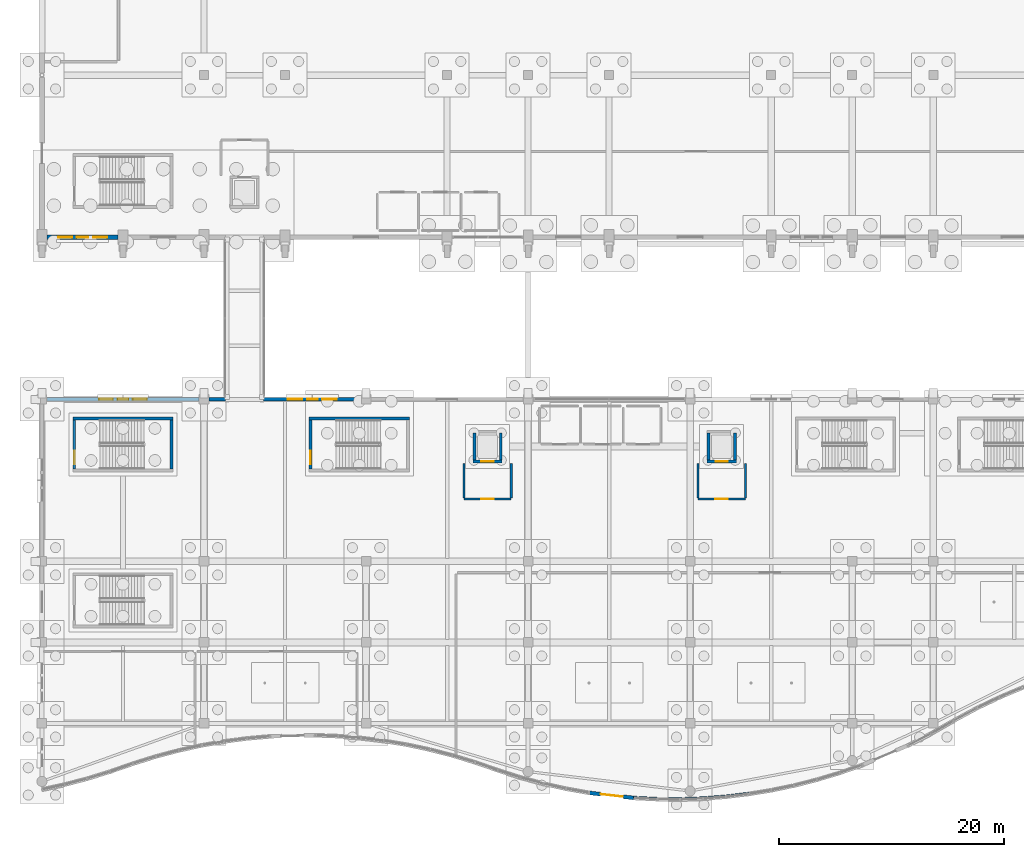
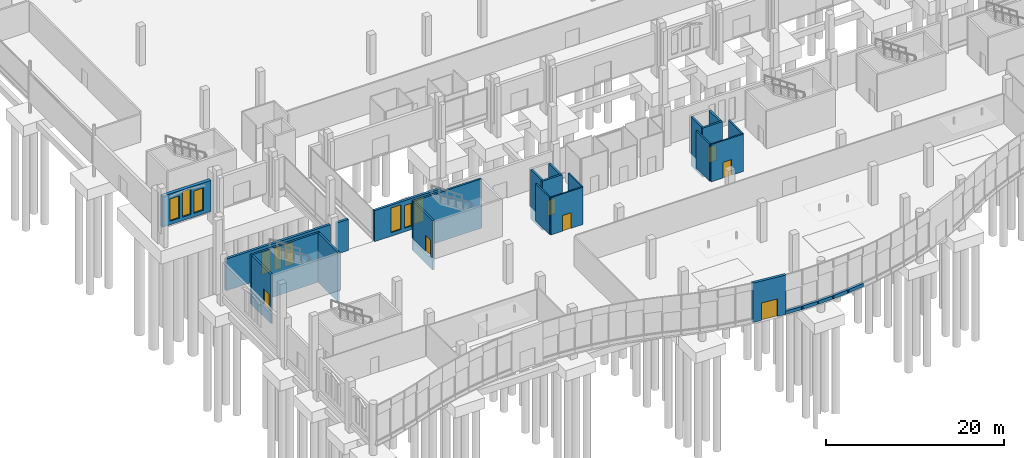
# One storey, part 131 of 192: 31 walls, 9 windows, 7 doors, 16 openings.
"""IFC4 building model written with IfcOpenShell, lengths in metres."""

from ifc_helpers import new_model, si_unit, direction, frame, frame_2d, origin, place, context, subcontext, project, spatial, rectangle, extrude, material, layer, layer_set, type_object, element, fill, save


model = new_model("IFC4")

# Units and contexts
model_context = context("Model", 3, precision=1e-05, world=origin(), true_north=direction((0.0, 1.0)))
body_context = subcontext(model_context, "Body", "Model", "MODEL_VIEW")
ifc_project = project(units=[si_unit("LENGTHUNIT", "METRE"), si_unit("AREAUNIT", "SQUARE_METRE"), si_unit("VOLUMEUNIT", "CUBIC_METRE"), si_unit("PLANEANGLEUNIT", "RADIAN"), si_unit("MASSUNIT", "GRAM", prefix="KILO")], contexts=[model_context])

# Site, building, storey
site_placement = place(None, origin())
site = spatial("IfcSite", under=ifc_project, at=site_placement, CompositionType="ELEMENT")
building_placement = place(site_placement, origin())
building = spatial("IfcBuilding", under=site, at=building_placement, Name="Cendralis Lancet Convention Centre", CompositionType="ELEMENT")
storey_placement = place(building_placement, origin())
storey = spatial("IfcBuildingStorey", under=building, at=storey_placement, Name="L00", CompositionType="ELEMENT", Elevation=0.0)

# Wall, openings, windows
ifc_material_1 = material(Name="Buff sandstone ashlar and Concrete G40 (C40/50)", Category="masonry")
ifc_layer_1 = layer(ifc_material_1, 0.320068359375, Name="Buff sandstone ashlar and Concrete G40 (C40/50)")
ifc_layer_set_1 = layer_set([ifc_layer_1], Name="Buff sandstone ashlar and Concrete G40 (C40/50)")
wall_type_1 = type_object("IfcWallType", Name="ARC-EW-W320", PredefinedType="STANDARD", material=ifc_layer_set_1)
wall_1_placement = place(storey_placement, frame((0.43310546875, 36.0, 0.0), z_axis=(0.0, 0.0, 1.0), x_axis=(1.0, 0.0, 0.0)))
wall_1 = element("IfcWall", 1, at=wall_1_placement, inside=storey, type_object=wall_type_1, Name="L00 V4 Exterior Wall EW-06 #0177", PredefinedType="STANDARD", context=body_context, shape_type="SweptSolid", body=[
    extrude(rectangle(XDim=13.533935546875, YDim=0.320068359375, at=frame_2d((6.76708984375, 0.0))), origin(), (0.0, 0.0, 1.0), 4.35498046875),
])
opening_1_placement = place(wall_1_placement, frame((4.636962890625, 0.0, 0.5)))
opening_1 = element("IfcOpeningElement", 2, at=opening_1_placement, cuts=wall_1, Name="Opening WN-16", PredefinedType="OPENING", context=body_context, shape_type="SweptSolid", body=[
    extrude(rectangle(XDim=1.239990234375, YDim=3.050048828125, at=frame_2d((0.6201171875, 1.52490234375))), frame((0.0, 0.169921875, 0.0), z_axis=(0.0, -1.0, 0.0), x_axis=(1.0, 0.0, 0.0)), (0.0, 0.0, 1.0), 0.340087890625),
])
opening_2_placement = place(wall_1_placement, frame((6.297119140625, 0.0, 0.5)))
opening_2 = element("IfcOpeningElement", 3, at=opening_2_placement, cuts=wall_1, Name="Opening WN-09", PredefinedType="OPENING", context=body_context, shape_type="SweptSolid", body=[
    extrude(rectangle(XDim=0.93994140625, YDim=3.10009765625, at=frame_2d((0.469970703125, 1.550048828125))), frame((0.0, 0.169921875, 0.0), z_axis=(0.0, -1.0, 0.0), x_axis=(1.0, 0.0, 0.0)), (0.0, 0.0, 1.0), 0.340087890625),
])
opening_3_placement = place(wall_1_placement, frame((7.656982421875, 0.0, 0.5)))
opening_3 = element("IfcOpeningElement", 4, at=opening_3_placement, cuts=wall_1, Name="Opening WN-16", PredefinedType="OPENING", context=body_context, shape_type="SweptSolid", body=[
    extrude(rectangle(XDim=1.239990234375, YDim=3.050048828125, at=frame_2d((0.6201171875, 1.52490234375))), frame((0.0, 0.169921875, 0.0), z_axis=(0.0, -1.0, 0.0), x_axis=(1.0, 0.0, 0.0)), (0.0, 0.0, 1.0), 0.340087890625),
])
ifc_material_2 = material(Name="Double-glazed low-E solar-control glass", Category="glass")
window_type_1 = type_object("IfcWindowType", Name="ARC-WN-LW09", PartitioningType="SINGLE_PANEL", PredefinedType="WINDOW", material=ifc_material_2)
window_1_placement = place(opening_2_placement, origin())
window_1 = element("IfcWindow", 5, at=window_1_placement, inside=storey, type_object=window_type_1, Name="Gothic Lancet Window WN-09 #0348", OverallHeight=3.10009765625, OverallWidth=0.93994140625, PartitioningType="SINGLE_PANEL", PredefinedType="WINDOW", context=body_context, shape_type="SweptSolid", body=[
    extrude(rectangle(XDim=0.93994140625, YDim=3.10009765625, at=frame_2d((0.469970703125, 1.550048828125))), frame((0.0, 0.030029296875, 0.0), z_axis=(0.0, -1.0, 0.0), x_axis=(1.0, 0.0, 0.0)), (0.0, 0.0, 1.0), 0.06005859375),
])
fill(opening_2, window_1)
window_type_2 = type_object("IfcWindowType", Name="ARC-WN-LW16", PartitioningType="SINGLE_PANEL", PredefinedType="WINDOW", material=ifc_material_2)
window_2_placement = place(opening_1_placement, origin())
window_2 = element("IfcWindow", 6, at=window_2_placement, inside=storey, type_object=window_type_2, Name="Gothic Lancet Window WN-16 #0347", OverallHeight=3.050048828125, OverallWidth=1.239990234375, PartitioningType="SINGLE_PANEL", PredefinedType="WINDOW", context=body_context, shape_type="SweptSolid", body=[
    extrude(rectangle(XDim=1.239990234375, YDim=3.050048828125, at=frame_2d((0.6201171875, 1.52490234375))), frame((0.0, 0.030029296875, 0.0), z_axis=(0.0, -1.0, 0.0), x_axis=(1.0, 0.0, 0.0)), (0.0, 0.0, 1.0), 0.06005859375),
])
fill(opening_1, window_2)
window_3_placement = place(opening_3_placement, origin())
window_3 = element("IfcWindow", 7, at=window_3_placement, inside=storey, type_object=window_type_2, Name="Gothic Lancet Window WN-16 #0349", OverallHeight=3.050048828125, OverallWidth=1.239990234375, PartitioningType="SINGLE_PANEL", PredefinedType="WINDOW", context=body_context, shape_type="SweptSolid", body=[
    extrude(rectangle(XDim=1.239990234375, YDim=3.050048828125, at=frame_2d((0.6201171875, 1.52490234375))), frame((0.0, 0.030029296875, 0.0), z_axis=(0.0, -1.0, 0.0), x_axis=(1.0, 0.0, 0.0)), (0.0, 0.0, 1.0), 0.06005859375),
])
fill(opening_3, window_3)

# Wall
wall_2_placement = place(storey_placement, frame((14.8330078125, 36.0, 0.0), z_axis=(0.0, 0.0, 1.0), x_axis=(1.0, 0.0, 0.0)))
element("IfcWall", 8, at=wall_2_placement, inside=storey, type_object=wall_type_1, Name="L00 V4 Exterior Wall EW-06 #0178", PredefinedType="STANDARD", context=body_context, shape_type="SweptSolid", body=[
    extrude(rectangle(XDim=1.487060546875, YDim=0.320068359375, at=frame_2d((0.74365234375, 0.0))), origin(), (0.0, 0.0, 1.0), 4.264892578125),
])

# Wall, openings, windows
wall_3_placement = place(storey_placement, frame((19.679931640625, 36.0, 0.0), z_axis=(0.0, 0.0, 1.0), x_axis=(1.0, 0.0, 0.0)))
wall_3 = element("IfcWall", 9, at=wall_3_placement, inside=storey, type_object=wall_type_1, Name="L00 V4 Exterior Wall EW-06 #0179", PredefinedType="STANDARD", context=body_context, shape_type="SweptSolid", body=[
    extrude(rectangle(XDim=8.68701171875, YDim=0.320068359375, at=frame_2d((4.343505859375, 0.0))), origin(), (0.0, 0.0, 1.0), 4.264892578125),
])
opening_4_placement = place(wall_3_placement, frame((2.153564453125, 0.0, 0.5)))
opening_4 = element("IfcOpeningElement", 10, at=opening_4_placement, cuts=wall_3, Name="Opening WN-18", PredefinedType="OPENING", context=body_context, shape_type="SweptSolid", body=[
    extrude(rectangle(XDim=1.300048828125, YDim=3.3798828125, at=frame_2d((0.64990234375, 1.68994140625))), frame((0.0, 0.169921875, 0.0), z_axis=(0.0, -1.0, 0.0), x_axis=(1.0, 0.0, 0.0)), (0.0, 0.0, 1.0), 0.340087890625),
])
opening_5_placement = place(wall_3_placement, frame((3.87353515625, 0.0, 0.5)))
opening_5 = element("IfcOpeningElement", 11, at=opening_5_placement, cuts=wall_3, Name="Opening WN-09", PredefinedType="OPENING", context=body_context, shape_type="SweptSolid", body=[
    extrude(rectangle(XDim=0.93994140625, YDim=3.10009765625, at=frame_2d((0.469970703125, 1.550048828125))), frame((0.0, 0.169921875, 0.0), z_axis=(0.0, -1.0, 0.0), x_axis=(1.0, 0.0, 0.0)), (0.0, 0.0, 1.0), 0.340087890625),
])
opening_6_placement = place(wall_3_placement, frame((5.2333984375, 0.0, 0.5)))
opening_6 = element("IfcOpeningElement", 12, at=opening_6_placement, cuts=wall_3, Name="Opening WN-18", PredefinedType="OPENING", context=body_context, shape_type="SweptSolid", body=[
    extrude(rectangle(XDim=1.300048828125, YDim=3.3798828125, at=frame_2d((0.64990234375, 1.68994140625))), frame((0.0, 0.169921875, 0.0), z_axis=(0.0, -1.0, 0.0), x_axis=(1.0, 0.0, 0.0)), (0.0, 0.0, 1.0), 0.340087890625),
])
window_4_placement = place(opening_5_placement, origin())
window_4 = element("IfcWindow", 13, at=window_4_placement, inside=storey, type_object=window_type_1, Name="Gothic Lancet Window WN-09 #0351", OverallHeight=3.10009765625, OverallWidth=0.93994140625, PartitioningType="SINGLE_PANEL", PredefinedType="WINDOW", context=body_context, shape_type="SweptSolid", body=[
    extrude(rectangle(XDim=0.93994140625, YDim=3.10009765625, at=frame_2d((0.469970703125, 1.550048828125))), frame((0.0, 0.030029296875, 0.0), z_axis=(0.0, -1.0, 0.0), x_axis=(1.0, 0.0, 0.0)), (0.0, 0.0, 1.0), 0.06005859375),
])
fill(opening_5, window_4)
window_type_3 = type_object("IfcWindowType", Name="ARC-WN-LW18", PartitioningType="SINGLE_PANEL", PredefinedType="WINDOW", material=ifc_material_2)
window_5_placement = place(opening_4_placement, origin())
window_5 = element("IfcWindow", 14, at=window_5_placement, inside=storey, type_object=window_type_3, Name="Gothic Lancet Window WN-18 #0350", OverallHeight=3.3798828125, OverallWidth=1.300048828125, PartitioningType="SINGLE_PANEL", PredefinedType="WINDOW", context=body_context, shape_type="SweptSolid", body=[
    extrude(rectangle(XDim=1.300048828125, YDim=3.3798828125, at=frame_2d((0.64990234375, 1.68994140625))), frame((0.0, 0.030029296875, 0.0), z_axis=(0.0, -1.0, 0.0), x_axis=(1.0, 0.0, 0.0)), (0.0, 0.0, 1.0), 0.06005859375),
])
fill(opening_4, window_5)
window_6_placement = place(opening_6_placement, origin())
window_6 = element("IfcWindow", 15, at=window_6_placement, inside=storey, type_object=window_type_3, Name="Gothic Lancet Window WN-18 #0352", OverallHeight=3.3798828125, OverallWidth=1.300048828125, PartitioningType="SINGLE_PANEL", PredefinedType="WINDOW", context=body_context, shape_type="SweptSolid", body=[
    extrude(rectangle(XDim=1.300048828125, YDim=3.3798828125, at=frame_2d((0.64990234375, 1.68994140625))), frame((0.0, 0.030029296875, 0.0), z_axis=(0.0, -1.0, 0.0), x_axis=(1.0, 0.0, 0.0)), (0.0, 0.0, 1.0), 0.06005859375),
])
fill(opening_6, window_6)

# Wall, opening, door
ifc_layer_2 = layer(ifc_material_1, 0.340087890625, Name="Buff sandstone ashlar and Concrete G40 (C40/50)")
ifc_layer_set_2 = layer_set([ifc_layer_2], Name="Buff sandstone ashlar and Concrete G40 (C40/50)")
wall_type_2 = type_object("IfcWallType", Name="ARC-EW-W340", PredefinedType="STANDARD", material=ifc_layer_set_2)
wall_4_placement = place(storey_placement, frame((48.60595703125, 1.030029296875, 0.0), z_axis=(0.0, 0.0, 1.0), x_axis=(0.993612735774, -0.112843835927, 0.0)))
wall_4 = element("IfcWall", 16, at=wall_4_placement, inside=storey, type_object=wall_type_2, Name="Boulevard Wave Entrance Portal Wall WP-025-WP-027", PredefinedType="STANDARD", context=body_context, shape_type="SweptSolid", body=[
    extrude(rectangle(XDim=4.076171875, YDim=0.340087890625, at=frame_2d((2.0380859375, 0.0))), origin(), (0.0, 0.0, 1.0), 5.39990234375),
])
opening_7_placement = place(wall_4_placement, frame((1.0380859375, 0.0, 0.0)))
opening_7 = element("IfcOpeningElement", 17, at=opening_7_placement, cuts=wall_4, Name="Opening EX-D2", PredefinedType="OPENING", context=body_context, shape_type="SweptSolid", body=[
    extrude(rectangle(XDim=2.0, YDim=2.39990234375, at=frame_2d((1.0, 1.199951171875))), frame((0.0, 0.179931640625, 0.0), z_axis=(0.0, -1.0, 0.0), x_axis=(1.0, 0.0, 0.0)), (0.0, 0.0, 1.0), 0.360107421875),
])
ifc_material_3 = material(Name="Anodised bronze architectural aluminium", Category="aluminium")
door_type_1 = type_object("IfcDoorType", Name="ARC-DR-EX20", OperationType="NOTDEFINED", PredefinedType="DOOR", material=ifc_material_3)
door_1_placement = place(opening_7_placement, frame((2.0, 0.0, 0.0), z_axis=(0.0, 0.0, 1.0), x_axis=(-1.0, 0.0, 0.0)))
door_1 = element("IfcDoor", 18, at=door_1_placement, inside=storey, type_object=door_type_1, Name="L00-D002 Pedestrian Final Exit Door EX-02 #002", OperationType="DOUBLE_DOOR_SINGLE_SWING", OverallHeight=2.39990234375, OverallWidth=2.0, PredefinedType="DOOR", context=body_context, shape_type="SweptSolid", body=[
    extrude(rectangle(XDim=2.0, YDim=2.39990234375, at=frame_2d((1.0, 1.199951171875))), frame((0.0, 0.02490234375, 0.0), z_axis=(0.0, -1.0, 0.0), x_axis=(1.0, 0.0, 0.0)), (0.0, 0.0, 1.0), 0.050048828125),
])
fill(opening_7, door_1)

# Walls
wall_5_placement = place(storey_placement, frame((52.571044921875, 0.57421875, 0.0), z_axis=(0.0, 0.0, 1.0), x_axis=(0.998760636529, -0.049771386559, 0.0)))
element("IfcWall", 19, at=wall_5_placement, inside=storey, type_object=wall_type_2, Name="South Wave Stone Plinth WP-027-WP-028", PredefinedType="STANDARD", context=body_context, shape_type="SweptSolid", body=[
    extrude(rectangle(XDim=2.197509765625, YDim=0.340087890625, at=frame_2d((1.0986328125, 0.0))), origin(), (0.0, 0.0, 1.0), 0.449951171875),
])
wall_6_placement = place(storey_placement, frame((54.595947265625, 0.469482421875, 0.0), z_axis=(0.0, 0.0, 1.0), x_axis=(0.999976224925, -0.006895620726, 0.0)))
element("IfcWall", 20, at=wall_6_placement, inside=storey, type_object=wall_type_2, Name="South Wave Stone Plinth WP-028-WP-029", PredefinedType="STANDARD", context=body_context, shape_type="SweptSolid", body=[
    extrude(rectangle(XDim=2.195068359375, YDim=0.340087890625, at=frame_2d((1.09765625, 0.0))), origin(), (0.0, 0.0, 1.0), 0.449951171875),
])
wall_7_placement = place(storey_placement, frame((56.62109375, 0.4521484375, 0.0), z_axis=(0.0, 0.0, 1.0), x_axis=(0.999406527119, 0.034446967246, 0.0)))
element("IfcWall", 21, at=wall_7_placement, inside=storey, type_object=wall_type_2, Name="South Wave Stone Plinth WP-029-WP-030", PredefinedType="STANDARD", context=body_context, shape_type="SweptSolid", body=[
    extrude(rectangle(XDim=2.197021484375, YDim=0.340087890625, at=frame_2d((1.0986328125, 0.0))), origin(), (0.0, 0.0, 1.0), 0.449951171875),
])
wall_8_placement = place(storey_placement, frame((58.647216796875, 0.5185546875, 0.0), z_axis=(0.0, 0.0, 1.0), x_axis=(0.997049916485, 0.076755872979, 0.0)))
element("IfcWall", 22, at=wall_8_placement, inside=storey, type_object=wall_type_2, Name="South Wave Stone Plinth WP-030-WP-031", PredefinedType="STANDARD", context=body_context, shape_type="SweptSolid", body=[
    extrude(rectangle(XDim=2.201171875, YDim=0.340087890625, at=frame_2d((1.1005859375, 0.0))), origin(), (0.0, 0.0, 1.0), 0.449951171875),
])
wall_9_placement = place(storey_placement, frame((60.672607421875, 0.6708984375, 0.0), z_axis=(0.0, 0.0, 1.0), x_axis=(0.992815540245, 0.119654933239, 0.0)))
element("IfcWall", 23, at=wall_9_placement, inside=storey, type_object=wall_type_2, Name="South Wave Stone Plinth WP-031-WP-032", PredefinedType="STANDARD", context=body_context, shape_type="SweptSolid", body=[
    extrude(rectangle(XDim=2.209716796875, YDim=0.340087890625, at=frame_2d((1.10498046875, 0.0))), origin(), (0.0, 0.0, 1.0), 0.449951171875),
])

# Wall, openings, windows
ifc_layer_3 = layer(ifc_material_1, 0.419921875, Name="Buff sandstone ashlar and Concrete G40 (C40/50)")
ifc_layer_set_3 = layer_set([ifc_layer_3], Name="Buff sandstone ashlar and Concrete G40 (C40/50)")
wall_type_3 = type_object("IfcWallType", Name="ARC-EW-W420", PredefinedType="STANDARD", material=ifc_layer_set_3)
wall_10_placement = place(storey_placement, frame((6.76708984375, 50.39990234375, 0.0), z_axis=(0.0, 0.0, 1.0), x_axis=(-1.0, 0.0, 0.0)))
wall_10 = element("IfcWall", 24, at=wall_10_placement, inside=storey, type_object=wall_type_3, Name="L00 V1 Exterior Wall EW-01 #0015", PredefinedType="STANDARD", context=body_context, shape_type="SweptSolid", body=[
    extrude(rectangle(XDim=6.30908203125, YDim=0.419921875, at=frame_2d((3.154541015625, 0.0))), origin(), (0.0, 0.0, 1.0), 4.2548828125),
])
opening_8_placement = place(wall_10_placement, frame((0.974609375, 0.0, 0.5)))
opening_8 = element("IfcOpeningElement", 25, at=opening_8_placement, cuts=wall_10, Name="Opening WN-16", PredefinedType="OPENING", context=body_context, shape_type="SweptSolid", body=[
    extrude(rectangle(XDim=1.239990234375, YDim=3.050048828125, at=frame_2d((0.6201171875, 1.52490234375))), frame((0.0, 0.219970703125, 0.0), z_axis=(0.0, -1.0, 0.0), x_axis=(1.0, 0.0, 0.0)), (0.0, 0.0, 1.0), 0.43994140625),
])
opening_9_placement = place(wall_10_placement, frame((2.634521484375, 0.0, 0.5)))
opening_9 = element("IfcOpeningElement", 26, at=opening_9_placement, cuts=wall_10, Name="Opening WN-06", PredefinedType="OPENING", context=body_context, shape_type="SweptSolid", body=[
    extrude(rectangle(XDim=1.0400390625, YDim=3.47998046875, at=frame_2d((0.52001953125, 1.739990234375))), frame((0.0, 0.219970703125, 0.0), z_axis=(0.0, -1.0, 0.0), x_axis=(1.0, 0.0, 0.0)), (0.0, 0.0, 1.0), 0.43994140625),
])
opening_10_placement = place(wall_10_placement, frame((4.094482421875, 0.0, 0.5)))
opening_10 = element("IfcOpeningElement", 27, at=opening_10_placement, cuts=wall_10, Name="Opening WN-16", PredefinedType="OPENING", context=body_context, shape_type="SweptSolid", body=[
    extrude(rectangle(XDim=1.239990234375, YDim=3.050048828125, at=frame_2d((0.6201171875, 1.52490234375))), frame((0.0, 0.219970703125, 0.0), z_axis=(0.0, -1.0, 0.0), x_axis=(1.0, 0.0, 0.0)), (0.0, 0.0, 1.0), 0.43994140625),
])
window_type_4 = type_object("IfcWindowType", Name="ARC-WN-LW06", PartitioningType="SINGLE_PANEL", PredefinedType="WINDOW", material=ifc_material_2)
window_7_placement = place(opening_9_placement, origin())
window_7 = element("IfcWindow", 28, at=window_7_placement, inside=storey, type_object=window_type_4, Name="Gothic Lancet Window WN-06 #0020", OverallHeight=3.47998046875, OverallWidth=1.0400390625, PartitioningType="SINGLE_PANEL", PredefinedType="WINDOW", context=body_context, shape_type="SweptSolid", body=[
    extrude(rectangle(XDim=1.0400390625, YDim=3.47998046875, at=frame_2d((0.52001953125, 1.739990234375))), frame((0.0, 0.030029296875, 0.0), z_axis=(0.0, -1.0, 0.0), x_axis=(1.0, 0.0, 0.0)), (0.0, 0.0, 1.0), 0.06005859375),
])
fill(opening_9, window_7)
window_8_placement = place(opening_8_placement, origin())
window_8 = element("IfcWindow", 29, at=window_8_placement, inside=storey, type_object=window_type_2, Name="Gothic Lancet Window WN-16 #0019", OverallHeight=3.050048828125, OverallWidth=1.239990234375, PartitioningType="SINGLE_PANEL", PredefinedType="WINDOW", context=body_context, shape_type="SweptSolid", body=[
    extrude(rectangle(XDim=1.239990234375, YDim=3.050048828125, at=frame_2d((0.6201171875, 1.52490234375))), frame((0.0, 0.030029296875, 0.0), z_axis=(0.0, -1.0, 0.0), x_axis=(1.0, 0.0, 0.0)), (0.0, 0.0, 1.0), 0.06005859375),
])
fill(opening_8, window_8)
window_9_placement = place(opening_10_placement, origin())
window_9 = element("IfcWindow", 30, at=window_9_placement, inside=storey, type_object=window_type_2, Name="Gothic Lancet Window WN-16 #0021", OverallHeight=3.050048828125, OverallWidth=1.239990234375, PartitioningType="SINGLE_PANEL", PredefinedType="WINDOW", context=body_context, shape_type="SweptSolid", body=[
    extrude(rectangle(XDim=1.239990234375, YDim=3.050048828125, at=frame_2d((0.6201171875, 1.52490234375))), frame((0.0, 0.030029296875, 0.0), z_axis=(0.0, -1.0, 0.0), x_axis=(1.0, 0.0, 0.0)), (0.0, 0.0, 1.0), 0.06005859375),
])
fill(opening_10, window_9)

# Wall, opening, door
ifc_material_4 = material(Name="Acoustic fire-rated gypsum board on steel studs", Category="steel")
ifc_layer_4 = layer(ifc_material_4, 0.179931640625, Name="Acoustic fire-rated gypsum board on steel studs")
ifc_layer_set_4 = layer_set([ifc_layer_4], Name="Acoustic fire-rated gypsum board on steel studs")
wall_type_4 = type_object("IfcWallType", Name="ARC-IW-P180", PredefinedType="PARTITIONING", material=ifc_layer_set_4)
wall_11_placement = place(storey_placement, frame((41.699951171875, 27.14990234375, 0.0), z_axis=(0.0, 0.0, 1.0), x_axis=(-1.0, 0.0, 0.0)))
wall_11 = element("IfcWall", 31, at=wall_11_placement, inside=storey, type_object=wall_type_4, Name="L00 Lift Lobby LP-03 Front Wall", PredefinedType="PARTITIONING", context=body_context, shape_type="SweptSolid", body=[
    extrude(rectangle(XDim=4.199951171875, YDim=0.179931640625, at=frame_2d((2.10009765625, 0.0))), origin(), (0.0, 0.0, 1.0), 5.1201171875),
])
opening_11_placement = place(wall_11_placement, frame((1.550048828125, 0.0, 0.0)))
opening_11 = element("IfcOpeningElement", 32, at=opening_11_placement, cuts=wall_11, Name="Opening FD-11", PredefinedType="OPENING", context=body_context, shape_type="SweptSolid", body=[
    extrude(rectangle(XDim=1.10009765625, YDim=2.14990234375, at=frame_2d((0.550048828125, 1.074951171875))), frame((0.0, 0.099853515625, 0.0), z_axis=(0.0, -1.0, 0.0), x_axis=(1.0, 0.0, 0.0)), (0.0, 0.0, 1.0), 0.199951171875),
])
ifc_material_5 = material(Name="Steel S355", Category="steel")
door_type_2 = type_object("IfcDoorType", Name="ARC-DR-FF11", OperationType="NOTDEFINED", PredefinedType="DOOR", material=ifc_material_5)
door_2_placement = place(opening_11_placement, origin())
door_2 = element("IfcDoor", 33, at=door_2_placement, inside=storey, type_object=door_type_2, Name="L00-D112 L00 Lift Lobby LP-03 Fire Door", OperationType="SINGLE_SWING_RIGHT", OverallHeight=2.14990234375, OverallWidth=1.10009765625, PredefinedType="DOOR", context=body_context, shape_type="SweptSolid", body=[
    extrude(rectangle(XDim=1.10009765625, YDim=2.14990234375, at=frame_2d((0.550048828125, 1.074951171875))), frame((0.0, 0.02490234375, 0.0), z_axis=(0.0, -1.0, 0.0), x_axis=(1.0, 0.0, 0.0)), (0.0, 0.0, 1.0), 0.050048828125),
])
fill(opening_11, door_2)

# Walls
for number, where, z_axis, x_axis, name in (
    (34, (37.5, 27.25, 0.0), (0.0, 0.0, 1.0), (0.0, 1.0, 0.0), "L00 Lift Lobby LP-03 West Wall"),
    (35, (41.699951171875, 27.25, 0.0), (0.0, 0.0, 1.0), (0.0, 1.0, 0.0), "L00 Lift Lobby LP-03 East Wall"),
):
    element("IfcWall", number, at=place(storey_placement, frame(where, z_axis=z_axis, x_axis=x_axis)), inside=storey, type_object=wall_type_4, Name=name, PredefinedType="PARTITIONING", context=body_context, shape_type="SweptSolid", body=[
        extrude(rectangle(XDim=3.050048828125, YDim=0.179931640625, at=frame_2d((1.52490234375, 0.0))), origin(), (0.0, 0.0, 1.0), 5.1201171875),
    ])

# Wall, opening, door
wall_12_placement = place(storey_placement, frame((62.5, 27.14990234375, 0.0), z_axis=(0.0, 0.0, 1.0), x_axis=(-1.0, 0.0, 0.0)))
wall_12 = element("IfcWall", 36, at=wall_12_placement, inside=storey, type_object=wall_type_4, Name="L00 Lift Lobby LP-04 Front Wall", PredefinedType="PARTITIONING", context=body_context, shape_type="SweptSolid", body=[
    extrude(rectangle(XDim=4.199951171875, YDim=0.179931640625, at=frame_2d((2.10009765625, 0.0))), origin(), (0.0, 0.0, 1.0), 5.1201171875),
])
opening_12_placement = place(wall_12_placement, frame((1.550048828125, 0.0, 0.0)))
opening_12 = element("IfcOpeningElement", 37, at=opening_12_placement, cuts=wall_12, Name="Opening FD-11", PredefinedType="OPENING", context=body_context, shape_type="SweptSolid", body=[
    extrude(rectangle(XDim=1.10009765625, YDim=2.14990234375, at=frame_2d((0.550048828125, 1.074951171875))), frame((0.0, 0.099853515625, 0.0), z_axis=(0.0, -1.0, 0.0), x_axis=(1.0, 0.0, 0.0)), (0.0, 0.0, 1.0), 0.199951171875),
])
door_3_placement = place(opening_12_placement, origin())
door_3 = element("IfcDoor", 38, at=door_3_placement, inside=storey, type_object=door_type_2, Name="L00-D113 L00 Lift Lobby LP-04 Fire Door", OperationType="SINGLE_SWING_LEFT", OverallHeight=2.14990234375, OverallWidth=1.10009765625, PredefinedType="DOOR", context=body_context, shape_type="SweptSolid", body=[
    extrude(rectangle(XDim=1.10009765625, YDim=2.14990234375, at=frame_2d((0.550048828125, 1.074951171875))), frame((0.0, 0.02490234375, 0.0), z_axis=(0.0, -1.0, 0.0), x_axis=(1.0, 0.0, 0.0)), (0.0, 0.0, 1.0), 0.050048828125),
])
fill(opening_12, door_3)

# Walls
for number, where, z_axis, x_axis, name in (
    (39, (58.300048828125, 27.25, 0.0), (0.0, 0.0, 1.0), (0.0, 1.0, 0.0), "L00 Lift Lobby LP-04 West Wall"),
    (40, (62.5, 27.25, 0.0), (0.0, 0.0, 1.0), (0.0, 1.0, 0.0), "L00 Lift Lobby LP-04 East Wall"),
):
    element("IfcWall", number, at=place(storey_placement, frame(where, z_axis=z_axis, x_axis=x_axis)), inside=storey, type_object=wall_type_4, Name=name, PredefinedType="PARTITIONING", context=body_context, shape_type="SweptSolid", body=[
        extrude(rectangle(XDim=3.050048828125, YDim=0.179931640625, at=frame_2d((1.52490234375, 0.0))), origin(), (0.0, 0.0, 1.0), 5.1201171875),
    ])
ifc_material_6 = material(Name="Concrete G40 (C40/50)", Category="concrete")
ifc_layer_5 = layer(ifc_material_6, 0.25, Name="Concrete G40 (C40/50)")
ifc_layer_set_5 = layer_set([ifc_layer_5], Name="Concrete G40 (C40/50)")
wall_type_5 = type_object("IfcWallType", Name="STR-SW-CW250", PredefinedType="SHEAR", material=ifc_layer_set_5)
wall_13_placement = place(storey_placement, frame((23.875, 29.800048828125, -1.64990234375), z_axis=(0.0, 0.0, 1.0), x_axis=(0.0, 1.0, 0.0)))
element("IfcWall", 41, at=wall_13_placement, inside=storey, type_object=wall_type_5, Name="L00 Stair Core ST-11 West Base Stem", PredefinedType="SHEAR", context=body_context, shape_type="SweptSolid", body=[
    extrude(rectangle(XDim=4.3798828125, YDim=0.25, at=frame_2d((2.18994140625, 0.0))), origin(), (0.0, 0.0, 1.0), 1.309814453125),
])

# Wall, opening, door
wall_14_placement = place(storey_placement, frame((23.875, 29.800048828125, 0.0), z_axis=(0.0, 0.0, 1.0), x_axis=(0.0, 1.0, 0.0)))
wall_14 = element("IfcWall", 42, at=wall_14_placement, inside=storey, type_object=wall_type_5, Name="L00 Stair Core ST-11 West Shear Wall", PredefinedType="SHEAR", context=body_context, shape_type="SweptSolid", body=[
    extrude(rectangle(XDim=4.3798828125, YDim=0.25, at=frame_2d((2.18994140625, 0.0))), origin(), (0.0, 0.0, 1.0), 5.1201171875),
])
opening_13_placement = place(wall_14_placement, frame((0.449951171875, 0.0, 0.0)))
opening_13 = element("IfcOpeningElement", 43, at=opening_13_placement, cuts=wall_14, Name="Opening SD-12", PredefinedType="OPENING", context=body_context, shape_type="SweptSolid", body=[
    extrude(rectangle(XDim=1.199951171875, YDim=2.14990234375, at=frame_2d((0.60009765625, 1.074951171875))), frame((0.0, 0.135009765625, 0.0), z_axis=(0.0, -1.0, 0.0), x_axis=(1.0, 0.0, 0.0)), (0.0, 0.0, 1.0), 0.27001953125),
])
door_type_3 = type_object("IfcDoorType", Name="ARC-DR-ST12", OperationType="NOTDEFINED", PredefinedType="DOOR", material=ifc_material_5)
door_4_placement = place(opening_13_placement, origin())
door_4 = element("IfcDoor", 44, at=door_4_placement, inside=storey, type_object=door_type_3, Name="L00-D128 L00 Exit Stair ST-11 Fire Door", OperationType="SINGLE_SWING_LEFT", OverallHeight=2.14990234375, OverallWidth=1.199951171875, PredefinedType="DOOR", context=body_context, shape_type="SweptSolid", body=[
    extrude(rectangle(XDim=1.199951171875, YDim=2.14990234375, at=frame_2d((0.60009765625, 1.074951171875))), frame((0.0, 0.02490234375, 0.0), z_axis=(0.0, -1.0, 0.0), x_axis=(1.0, 0.0, 0.0)), (0.0, 0.0, 1.0), 0.050048828125),
])
fill(opening_13, door_4)

# Walls
wall_15_placement = place(storey_placement, frame((23.75, 34.304931640625, -1.64990234375), z_axis=(0.0, 0.0, 1.0), x_axis=(1.0, 0.0, 0.0)))
element("IfcWall", 45, at=wall_15_placement, inside=storey, type_object=wall_type_5, Name="L00 Stair Core ST-11 North Shear Wall", PredefinedType="SHEAR", context=body_context, shape_type="SweptSolid", body=[
    extrude(rectangle(XDim=8.89990234375, YDim=0.25, at=frame_2d((4.449951171875, 0.0))), origin(), (0.0, 0.0, 1.0), 6.77001953125),
])
wall_16_placement = place(storey_placement, frame((2.875, 29.800048828125, -1.64990234375), z_axis=(0.0, 0.0, 1.0), x_axis=(0.0, 1.0, 0.0)))
element("IfcWall", 46, at=wall_16_placement, inside=storey, type_object=wall_type_5, Name="L00 Stair Core ST-20 West Base Stem", PredefinedType="SHEAR", context=body_context, shape_type="SweptSolid", body=[
    extrude(rectangle(XDim=4.3798828125, YDim=0.25, at=frame_2d((2.18994140625, 0.0))), origin(), (0.0, 0.0, 1.0), 1.309814453125),
])

# Wall, opening, door
wall_17_placement = place(storey_placement, frame((2.875, 29.800048828125, 0.0), z_axis=(0.0, 0.0, 1.0), x_axis=(0.0, 1.0, 0.0)))
wall_17 = element("IfcWall", 47, at=wall_17_placement, inside=storey, type_object=wall_type_5, Name="L00 Stair Core ST-20 West Shear Wall", PredefinedType="SHEAR", context=body_context, shape_type="SweptSolid", body=[
    extrude(rectangle(XDim=4.3798828125, YDim=0.25, at=frame_2d((2.18994140625, 0.0))), origin(), (0.0, 0.0, 1.0), 5.1201171875),
])
opening_14_placement = place(wall_17_placement, frame((0.449951171875, 0.0, 0.0)))
opening_14 = element("IfcOpeningElement", 48, at=opening_14_placement, cuts=wall_17, Name="Opening SD-12", PredefinedType="OPENING", context=body_context, shape_type="SweptSolid", body=[
    extrude(rectangle(XDim=1.199951171875, YDim=2.14990234375, at=frame_2d((0.60009765625, 1.074951171875))), frame((0.0, 0.135009765625, 0.0), z_axis=(0.0, -1.0, 0.0), x_axis=(1.0, 0.0, 0.0)), (0.0, 0.0, 1.0), 0.27001953125),
])
door_5_placement = place(opening_14_placement, origin())
door_5 = element("IfcDoor", 49, at=door_5_placement, inside=storey, type_object=door_type_3, Name="L00-D137 L00 Exit Stair ST-20 Fire Door", OperationType="SINGLE_SWING_RIGHT", OverallHeight=2.14990234375, OverallWidth=1.199951171875, PredefinedType="DOOR", context=body_context, shape_type="SweptSolid", body=[
    extrude(rectangle(XDim=1.199951171875, YDim=2.14990234375, at=frame_2d((0.60009765625, 1.074951171875))), frame((0.0, 0.02490234375, 0.0), z_axis=(0.0, -1.0, 0.0), x_axis=(1.0, 0.0, 0.0)), (0.0, 0.0, 1.0), 0.050048828125),
])
fill(opening_14, door_5)

# Walls
wall_18_placement = place(storey_placement, frame((11.52490234375, 29.800048828125, -1.64990234375), z_axis=(0.0, 0.0, 1.0), x_axis=(0.0, 1.0, 0.0)))
element("IfcWall", 50, at=wall_18_placement, inside=storey, type_object=wall_type_5, Name="L00 Stair Core ST-20 East Shear Wall", PredefinedType="SHEAR", context=body_context, shape_type="SweptSolid", body=[
    extrude(rectangle(XDim=4.3798828125, YDim=0.25, at=frame_2d((2.18994140625, 0.0))), origin(), (0.0, 0.0, 1.0), 6.77001953125),
])
wall_19_placement = place(storey_placement, frame((2.75, 34.304931640625, -1.64990234375), z_axis=(0.0, 0.0, 1.0), x_axis=(1.0, 0.0, 0.0)))
element("IfcWall", 51, at=wall_19_placement, inside=storey, type_object=wall_type_5, Name="L00 Stair Core ST-20 North Shear Wall", PredefinedType="SHEAR", context=body_context, shape_type="SweptSolid", body=[
    extrude(rectangle(XDim=8.89990234375, YDim=0.25, at=frame_2d((4.449951171875, 0.0))), origin(), (0.0, 0.0, 1.0), 6.77001953125),
])
wall_20_placement = place(storey_placement, frame((38.300048828125, 30.47509765625, -1.64990234375), z_axis=(0.0, 0.0, 1.0), x_axis=(1.0, 0.0, 0.0)))
element("IfcWall", 52, at=wall_20_placement, inside=storey, type_object=wall_type_5, Name="L00 Lift LP-03 Base Stem", PredefinedType="SHEAR", context=body_context, shape_type="SweptSolid", body=[
    extrude(rectangle(XDim=2.599853515625, YDim=0.25, at=frame_2d((1.2998046875, 0.0))), origin(), (0.0, 0.0, 1.0), 1.309814453125),
])

# Wall, opening, door
wall_21_placement = place(storey_placement, frame((38.300048828125, 30.47509765625, 0.0), z_axis=(0.0, 0.0, 1.0), x_axis=(1.0, 0.0, 0.0)))
wall_21 = element("IfcWall", 53, at=wall_21_placement, inside=storey, type_object=wall_type_5, Name="L00 Lift LP-03 South Shaft Wall", PredefinedType="SHEAR", context=body_context, shape_type="SweptSolid", body=[
    extrude(rectangle(XDim=2.599853515625, YDim=0.25, at=frame_2d((1.2998046875, 0.0))), origin(), (0.0, 0.0, 1.0), 5.1201171875),
])
opening_15_placement = place(wall_21_placement, frame((0.75, 0.0, 0.0)))
opening_15 = element("IfcOpeningElement", 54, at=opening_15_placement, cuts=wall_21, Name="Opening LD-11", PredefinedType="OPENING", context=body_context, shape_type="SweptSolid", body=[
    extrude(rectangle(XDim=1.10009765625, YDim=2.14990234375, at=frame_2d((0.550048828125, 1.074951171875))), frame((0.0, 0.135009765625, 0.0), z_axis=(0.0, -1.0, 0.0), x_axis=(1.0, 0.0, 0.0)), (0.0, 0.0, 1.0), 0.27001953125),
])
door_type_4 = type_object("IfcDoorType", Name="ARC-DR-LD11", OperationType="NOTDEFINED", PredefinedType="DOOR", material=ifc_material_3)
door_6_placement = place(opening_15_placement, origin())
door_6 = element("IfcDoor", 55, at=door_6_placement, inside=storey, type_object=door_type_4, Name="L00-D098 L00 Lift LP-03 Sliding Landing Door", OperationType="SLIDING_TO_RIGHT", OverallHeight=2.14990234375, OverallWidth=1.10009765625, PredefinedType="DOOR", context=body_context, shape_type="SweptSolid", body=[
    extrude(rectangle(XDim=1.10009765625, YDim=2.14990234375, at=frame_2d((0.550048828125, 1.074951171875))), frame((0.0, 0.02490234375, 0.0), z_axis=(0.0, -1.0, 0.0), x_axis=(1.0, 0.0, 0.0)), (0.0, 0.0, 1.0), 0.050048828125),
])
fill(opening_15, door_6)

# Walls
for number, where, z_axis, x_axis, name in (
    (56, (38.425048828125, 30.60009765625, -1.64990234375), (0.0, 0.0, 1.0), (0.0, 1.0, 0.0), "L00 Lift LP-03 West Shaft Wall"),
    (57, (40.77490234375, 30.60009765625, -1.64990234375), (0.0, 0.0, 1.0), (0.0, 1.0, 0.0), "L00 Lift LP-03 East Shaft Wall"),
):
    element("IfcWall", number, at=place(storey_placement, frame(where, z_axis=z_axis, x_axis=x_axis)), inside=storey, type_object=wall_type_5, Name=name, PredefinedType="SHEAR", context=body_context, shape_type="SweptSolid", body=[
        extrude(rectangle(XDim=2.39990234375, YDim=0.25, at=frame_2d((1.199951171875, 0.0))), origin(), (0.0, 0.0, 1.0), 6.77001953125),
    ])
wall_22_placement = place(storey_placement, frame((59.10009765625, 30.47509765625, -1.64990234375), z_axis=(0.0, 0.0, 1.0), x_axis=(1.0, 0.0, 0.0)))
element("IfcWall", 58, at=wall_22_placement, inside=storey, type_object=wall_type_5, Name="L00 Lift LP-04 Base Stem", PredefinedType="SHEAR", context=body_context, shape_type="SweptSolid", body=[
    extrude(rectangle(XDim=2.599853515625, YDim=0.25, at=frame_2d((1.2998046875, 0.0))), origin(), (0.0, 0.0, 1.0), 1.309814453125),
])

# Wall, opening, door
wall_23_placement = place(storey_placement, frame((59.10009765625, 30.47509765625, 0.0), z_axis=(0.0, 0.0, 1.0), x_axis=(1.0, 0.0, 0.0)))
wall_23 = element("IfcWall", 59, at=wall_23_placement, inside=storey, type_object=wall_type_5, Name="L00 Lift LP-04 South Shaft Wall", PredefinedType="SHEAR", context=body_context, shape_type="SweptSolid", body=[
    extrude(rectangle(XDim=2.599853515625, YDim=0.25, at=frame_2d((1.2998046875, 0.0))), origin(), (0.0, 0.0, 1.0), 5.1201171875),
])
opening_16_placement = place(wall_23_placement, frame((0.75, 0.0, 0.0)))
opening_16 = element("IfcOpeningElement", 60, at=opening_16_placement, cuts=wall_23, Name="Opening LD-11", PredefinedType="OPENING", context=body_context, shape_type="SweptSolid", body=[
    extrude(rectangle(XDim=1.10009765625, YDim=2.14990234375, at=frame_2d((0.550048828125, 1.074951171875))), frame((0.0, 0.135009765625, 0.0), z_axis=(0.0, -1.0, 0.0), x_axis=(1.0, 0.0, 0.0)), (0.0, 0.0, 1.0), 0.27001953125),
])
door_7_placement = place(opening_16_placement, origin())
door_7 = element("IfcDoor", 61, at=door_7_placement, inside=storey, type_object=door_type_4, Name="L00-D099 L00 Lift LP-04 Sliding Landing Door", OperationType="SLIDING_TO_LEFT", OverallHeight=2.14990234375, OverallWidth=1.10009765625, PredefinedType="DOOR", context=body_context, shape_type="SweptSolid", body=[
    extrude(rectangle(XDim=1.10009765625, YDim=2.14990234375, at=frame_2d((0.550048828125, 1.074951171875))), frame((0.0, 0.02490234375, 0.0), z_axis=(0.0, -1.0, 0.0), x_axis=(1.0, 0.0, 0.0)), (0.0, 0.0, 1.0), 0.050048828125),
])
fill(opening_16, door_7)

# Walls
for number, where, z_axis, x_axis, name in (
    (62, (59.22509765625, 30.60009765625, -1.64990234375), (0.0, 0.0, 1.0), (0.0, 1.0, 0.0), "L00 Lift LP-04 West Shaft Wall"),
    (63, (61.574951171875, 30.60009765625, -1.64990234375), (0.0, 0.0, 1.0), (0.0, 1.0, 0.0), "L00 Lift LP-04 East Shaft Wall"),
):
    element("IfcWall", number, at=place(storey_placement, frame(where, z_axis=z_axis, x_axis=x_axis)), inside=storey, type_object=wall_type_5, Name=name, PredefinedType="SHEAR", context=body_context, shape_type="SweptSolid", body=[
        extrude(rectangle(XDim=2.39990234375, YDim=0.25, at=frame_2d((1.199951171875, 0.0))), origin(), (0.0, 0.0, 1.0), 6.77001953125),
    ])

save(model, "model.ifc")
